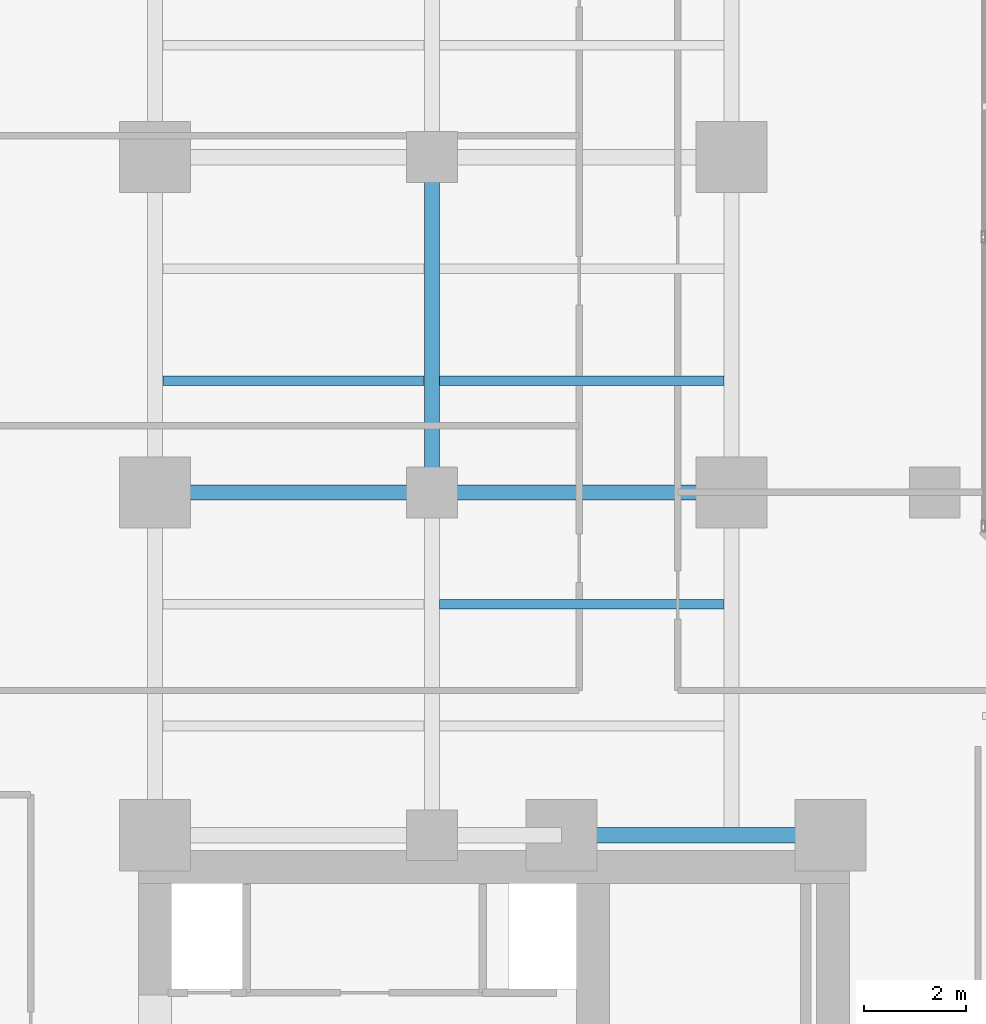
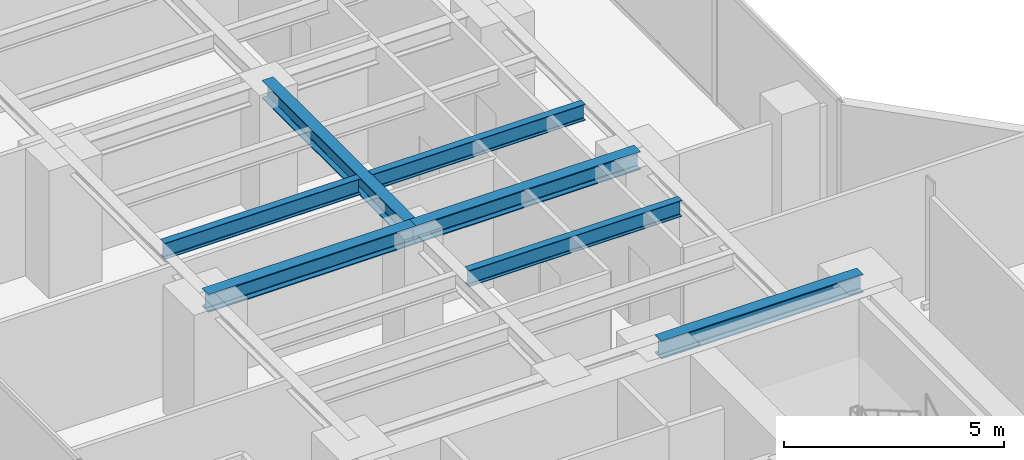
# One storey, part 8 of 24: 7 beams.
"""IFC4 building model written with IfcOpenShell, lengths in metres."""

from ifc_helpers import new_model, si_unit, direction, frame, origin, origin_2d, place, context, subcontext, project, spatial, i_section, extrude, material, material_profile, profile_set, type_object, element, save


model = new_model("IFC4")

# Units and contexts
model_context = context("Model", 3, precision=1e-05, world=origin(), true_north=direction((0.0, 1.0)))
body_context = subcontext(model_context, "Body", "Model", "MODEL_VIEW")
ifc_project = project(units=[si_unit("LENGTHUNIT", "METRE"), si_unit("AREAUNIT", "SQUARE_METRE"), si_unit("VOLUMEUNIT", "CUBIC_METRE"), si_unit("PLANEANGLEUNIT", "RADIAN"), si_unit("MASSUNIT", "GRAM", prefix="KILO")], contexts=[model_context])

# Site, building, storey
site_placement = place(None, origin())
site = spatial("IfcSite", under=ifc_project, at=site_placement, CompositionType="ELEMENT")
building_placement = place(site_placement, origin())
building = spatial("IfcBuilding", under=site, at=building_placement, Name="Kolvaren Waterfront Exchange", CompositionType="ELEMENT")
storey_placement = place(building_placement, frame((0.0, 0.0, 91.699951171875)))
storey = spatial("IfcBuildingStorey", under=building, at=storey_placement, Name="L23", CompositionType="ELEMENT", Elevation=91.699951171875)

# Beams
ifc_material = material(Name="Steel S355", Category="steel")
ifc_material_profile_1 = material_profile(ifc_material, i_section(OverallWidth=0.300048828125, OverallDepth=0.5, WebThickness=0.014404296875, FlangeThickness=0.028076171875, FilletRadius=0.027099609375, at=origin_2d()), Name="HEB500")
ifc_profile_set_1 = profile_set([ifc_material_profile_1], Name="Steel S355")
beam_type_1 = type_object("IfcBeamType", Name="STR-BM-HEB500", PredefinedType="BEAM", material=ifc_profile_set_1)
beam_1_placement = place(storey_placement, frame((15.449951171875, 24.449951171875, 3.2900390625), z_axis=(1.0, 0.0, 0.0), x_axis=(0.0, 1.0, 0.0)))
element("IfcBeam", 1, at=beam_1_placement, inside=storey, type_object=beam_type_1, Name="L23 north-arm girder 1C", PredefinedType="BEAM", context=body_context, shape_type="SweptSolid", body=[
    extrude(i_section(OverallWidth=0.300048828125, OverallDepth=0.5, WebThickness=0.014404296875, FlangeThickness=0.028076171875, FilletRadius=0.027099609375, at=origin_2d()), origin(), (0.0, 0.0, 1.0), 5.300048828125),
])
beam_2_placement = place(storey_placement, frame((7.449951171875, 31.199951171875, 3.2900390625), z_axis=(1.0, 0.0, 0.0), x_axis=(0.0, 1.0, 0.0)))
element("IfcBeam", 2, at=beam_2_placement, inside=storey, type_object=beam_type_1, Name="L23 north-arm girder 2A", PredefinedType="BEAM", context=body_context, shape_type="SweptSolid", body=[
    extrude(i_section(OverallWidth=0.300048828125, OverallDepth=0.5, WebThickness=0.014404296875, FlangeThickness=0.028076171875, FilletRadius=0.027099609375, at=origin_2d()), origin(), (0.0, 0.0, 1.0), 5.449951171875),
])
beam_3_placement = place(storey_placement, frame((12.89990234375, 31.199951171875, 3.2900390625), z_axis=(1.0, 0.0, 0.0), x_axis=(0.0, 1.0, 0.0)))
element("IfcBeam", 3, at=beam_3_placement, inside=storey, type_object=beam_type_1, Name="L23 north-arm girder 2B", PredefinedType="BEAM", context=body_context, shape_type="SweptSolid", body=[
    extrude(i_section(OverallWidth=0.300048828125, OverallDepth=0.5, WebThickness=0.014404296875, FlangeThickness=0.028076171875, FilletRadius=0.027099609375, at=origin_2d()), origin(), (0.0, 0.0, 1.0), 5.900146484375),
])
beam_4_placement = place(storey_placement, frame((12.89990234375, 31.199951171875, 3.2900390625), z_axis=(0.0, 1.0, 0.0), x_axis=(-1.0, 0.0, 0.0)))
element("IfcBeam", 4, at=beam_4_placement, inside=storey, type_object=beam_type_1, Name="L23 north-arm edge beam 2", PredefinedType="BEAM", context=body_context, shape_type="SweptSolid", body=[
    extrude(i_section(OverallWidth=0.300048828125, OverallDepth=0.5, WebThickness=0.014404296875, FlangeThickness=0.028076171875, FilletRadius=0.027099609375, at=origin_2d()), origin(), (0.0, 0.0, 1.0), 6.60009765625),
])
ifc_material_profile_2 = material_profile(ifc_material, i_section(OverallWidth=0.18994140625, OverallDepth=0.449951171875, WebThickness=0.009521484375, FlangeThickness=0.0146484375, FilletRadius=0.02099609375, at=origin_2d()), Name="IPE450")
ifc_profile_set_2 = profile_set([ifc_material_profile_2], Name="Steel S355")
beam_type_2 = type_object("IfcBeamType", Name="STR-BM-IPE450", PredefinedType="JOIST", material=ifc_profile_set_2)
beam_5_placement = place(storey_placement, frame((13.052001953125, 29.0, 3.31494140625), z_axis=(1.0, 0.0, 0.0), x_axis=(0.0, 1.0, 0.0)))
element("IfcBeam", 5, at=beam_5_placement, inside=storey, type_object=beam_type_2, Name="L23 north-arm composite joist 2B", PredefinedType="JOIST", context=body_context, shape_type="SweptSolid", body=[
    extrude(i_section(OverallWidth=0.18994140625, OverallDepth=0.449951171875, WebThickness=0.009521484375, FlangeThickness=0.0146484375, FilletRadius=0.02099609375, at=origin_2d()), origin(), (0.0, 0.0, 1.0), 5.595947265625),
])
beam_6_placement = place(storey_placement, frame((7.60205078125, 33.39990234375, 3.31494140625), z_axis=(1.0, 0.0, 0.0), x_axis=(0.0, 1.0, 0.0)))
element("IfcBeam", 6, at=beam_6_placement, inside=storey, type_object=beam_type_2, Name="L23 north-arm composite joist 3A", PredefinedType="JOIST", context=body_context, shape_type="SweptSolid", body=[
    extrude(i_section(OverallWidth=0.18994140625, OverallDepth=0.449951171875, WebThickness=0.009521484375, FlangeThickness=0.0146484375, FilletRadius=0.02099609375, at=origin_2d()), origin(), (0.0, 0.0, 1.0), 5.14599609375),
])
beam_7_placement = place(storey_placement, frame((13.052001953125, 33.39990234375, 3.31494140625), z_axis=(1.0, 0.0, 0.0), x_axis=(0.0, 1.0, 0.0)))
element("IfcBeam", 7, at=beam_7_placement, inside=storey, type_object=beam_type_2, Name="L23 north-arm composite joist 3B", PredefinedType="JOIST", context=body_context, shape_type="SweptSolid", body=[
    extrude(i_section(OverallWidth=0.18994140625, OverallDepth=0.449951171875, WebThickness=0.009521484375, FlangeThickness=0.0146484375, FilletRadius=0.02099609375, at=origin_2d()), origin(), (0.0, 0.0, 1.0), 5.595947265625),
])

save(model, "model.ifc")
